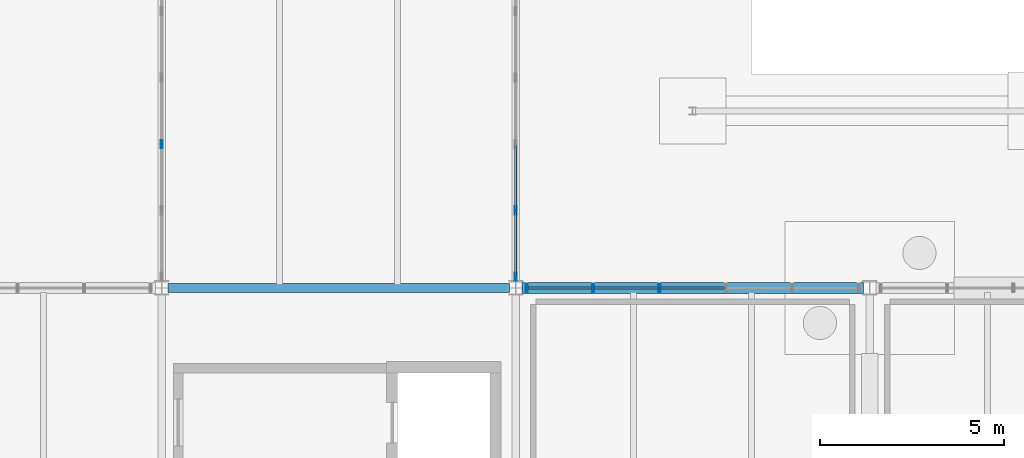
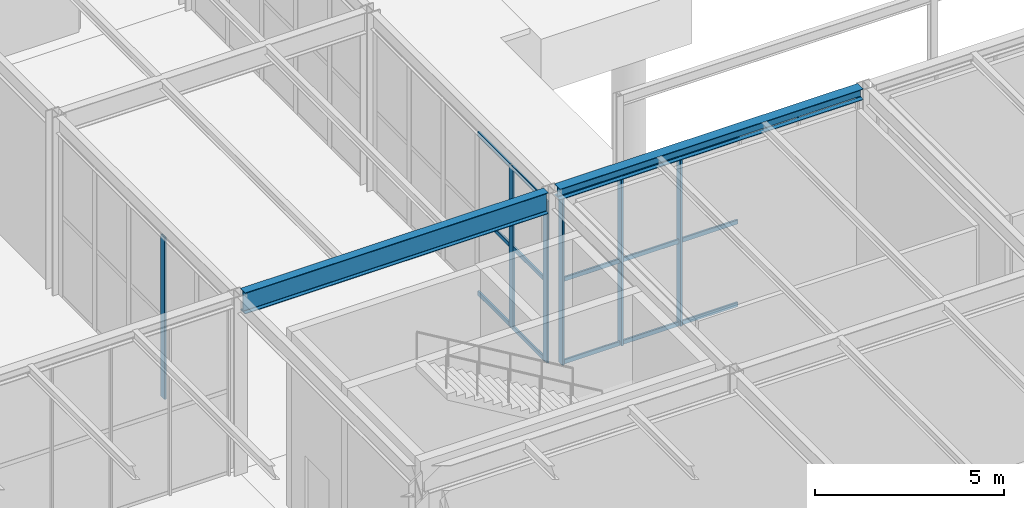
# One storey, part 44 of 142: 21 members, 2 beams, 3 elements without a shape of their own.
"""IFC4 building model written with IfcOpenShell, lengths in metres."""

from ifc_helpers import new_model, si_unit, direction, frame, origin, origin_2d, place, context, subcontext, project, spatial, hollow_rectangle, i_section, extrude, material, material_profile, profile_set, type_object, element, aggregate, save


model = new_model("IFC4")

# Units and contexts
model_context = context("Model", 3, precision=1e-05, world=origin(), true_north=direction((0.0, 1.0)))
body_context = subcontext(model_context, "Body", "Model", "MODEL_VIEW")
ifc_project = project(units=[si_unit("LENGTHUNIT", "METRE"), si_unit("AREAUNIT", "SQUARE_METRE"), si_unit("VOLUMEUNIT", "CUBIC_METRE"), si_unit("PLANEANGLEUNIT", "RADIAN"), si_unit("MASSUNIT", "GRAM", prefix="KILO")], contexts=[model_context])

# Site, building, storey
site_placement = place(None, origin())
site = spatial("IfcSite", under=ifc_project, at=site_placement, CompositionType="ELEMENT")
building_placement = place(site_placement, origin())
building = spatial("IfcBuilding", under=site, at=building_placement, Name="Coralgate Yard Interchange", CompositionType="ELEMENT")
storey_placement = place(building_placement, origin())
storey = spatial("IfcBuildingStorey", under=building, at=storey_placement, Name="L00", CompositionType="ELEMENT", Elevation=0.0)

# Beams
ifc_material_1 = material(Name="Structural steel S355J2", Category="steel")
ifc_material_profile_1 = material_profile(ifc_material_1, i_section(OverallWidth=0.253662109375, OverallDepth=0.68359375, WebThickness=0.012451171875, FlangeThickness=0.01904296875, FilletRadius=0.01513671875, at=origin_2d()), Name="UB 686x254x140")
ifc_profile_set_1 = profile_set([ifc_material_profile_1], Name="Structural steel S355J2")
beam_type_1 = type_object("IfcBeamType", Name="BM-SG-4", PredefinedType="BEAM", material=ifc_profile_set_1)
beam_1_placement = place(storey_placement, frame((48.16943359375, 19.199951171875, 5.408203125), z_axis=(1.0, 0.0, 0.0), x_axis=(0.0, 1.0, 0.0)))
element("IfcBeam", 1, at=beam_1_placement, inside=storey, type_object=beam_type_1, Name="L00 primary grid beam Y2 X5-6", PredefinedType="BEAM", context=body_context, shape_type="SweptSolid", body=[
    extrude(i_section(OverallWidth=0.253662109375, OverallDepth=0.68359375, WebThickness=0.012451171875, FlangeThickness=0.01904296875, FilletRadius=0.01513671875, at=origin_2d()), origin(), (0.0, 0.0, 1.0), 9.260986328125),
])
ifc_material_profile_2 = material_profile(ifc_material_1, i_section(OverallWidth=0.300048828125, OverallDepth=0.35009765625, WebThickness=0.010009765625, FlangeThickness=0.017578125, FilletRadius=0.027099609375, at=origin_2d()), Name="HEA 360")
ifc_profile_set_2 = profile_set([ifc_material_profile_2], Name="Structural steel S355J2")
beam_type_2 = type_object("IfcBeamType", Name="BM-SP-1", PredefinedType="SPANDREL", material=ifc_profile_set_2)
beam_2_placement = place(storey_placement, frame((57.76953125, 19.199951171875, 5.574951171875), z_axis=(1.0, 0.0, 0.0), x_axis=(0.0, 1.0, 0.0)))
element("IfcBeam", 2, at=beam_2_placement, inside=storey, type_object=beam_type_2, Name="L00 primary grid beam Y2 X6-7", PredefinedType="SPANDREL", context=body_context, shape_type="SweptSolid", body=[
    extrude(i_section(OverallWidth=0.300048828125, OverallDepth=0.35009765625, WebThickness=0.010009765625, FlangeThickness=0.017578125, FilletRadius=0.027099609375, at=origin_2d()), origin(), (0.0, 0.0, 1.0), 9.260986328125),
])

# Curtain wall, member
ifc_material_2 = material(Name="Anodised coastal aluminium and solar-control low-E glass", Category="aluminium")
curtain_wall_type_1 = type_object("IfcCurtainWallType", Name="CW-CW-L00-B", PredefinedType="NOTDEFINED", material=ifc_material_2)
curtain_wall_1_placement = place(storey_placement, origin())
curtain_wall_1 = element("IfcCurtainWall", 3, at=curtain_wall_1_placement, inside=storey, type_object=curtain_wall_type_1, Name="L00 unitised curtain wall CW-L00-W-05-02", PredefinedType="NOTDEFINED")
ifc_material_3 = material(Name="Anodised coastal aluminium 6063-T6", Category="aluminium")
ifc_material_profile_3 = material_profile(ifc_material_3, hollow_rectangle(XDim=0.06005859375, YDim=0.219970703125, WallThickness=0.00390625, InnerFilletRadius=0.00390625, OuterFilletRadius=0.008056640625, at=origin_2d()), Name="ALU 60x220x4")
ifc_profile_set_3 = profile_set([ifc_material_profile_3], Name="Anodised coastal aluminium 6063-T6")
member_type_1 = type_object("IfcMemberType", Name="MB-MUL-220", PredefinedType="MULLION", material=ifc_profile_set_3)
member_1_placement = place(storey_placement, frame((48.0, 23.10009765625, 0.0), z_axis=(0.0, 0.0, 1.0), x_axis=(1.0, 0.0, 0.0)))
member_1 = element("IfcMember", 4, at=member_1_placement, type_object=member_type_1, Name="CW-L00-W-05-02 vertical mullion 3", PredefinedType="MULLION", context=body_context, shape_type="SweptSolid", body=[
    extrude(hollow_rectangle(XDim=0.06005859375, YDim=0.219970703125, WallThickness=0.00390625, InnerFilletRadius=0.00390625, OuterFilletRadius=0.008056640625, at=origin_2d()), origin(), (0.0, 0.0, 1.0), 5.216796875),
])
aggregate(curtain_wall_1, [member_1])

# Curtain wall, members
curtain_wall_type_2 = type_object("IfcCurtainWallType", Name="CW-CW-L00-A", PredefinedType="NOTDEFINED", material=ifc_material_2)
curtain_wall_2_placement = place(storey_placement, origin())
curtain_wall_2 = element("IfcCurtainWall", 5, at=curtain_wall_2_placement, inside=storey, type_object=curtain_wall_type_2, Name="L00 unitised curtain wall CW-L00-E-05-02", PredefinedType="NOTDEFINED")
member_2_placement = place(storey_placement, frame((57.60009765625, 21.300048828125, 0.0), z_axis=(0.0, 0.0, 1.0), x_axis=(1.0, 0.0, 0.0)))
member_2 = element("IfcMember", 6, at=member_2_placement, type_object=member_type_1, Name="CW-L00-E-05-02 vertical mullion 5", PredefinedType="MULLION", context=body_context, shape_type="SweptSolid", body=[
    extrude(hollow_rectangle(XDim=0.06005859375, YDim=0.219970703125, WallThickness=0.00390625, InnerFilletRadius=0.00390625, OuterFilletRadius=0.008056640625, at=origin_2d()), origin(), (0.0, 0.0, 1.0), 5.216796875),
])
member_3_placement = place(storey_placement, frame((57.60009765625, 19.5, 0.0), z_axis=(0.0, 0.0, 1.0), x_axis=(1.0, 0.0, 0.0)))
member_3 = element("IfcMember", 7, at=member_3_placement, type_object=member_type_1, Name="CW-L00-E-05-02 vertical mullion 6", PredefinedType="MULLION", context=body_context, shape_type="SweptSolid", body=[
    extrude(hollow_rectangle(XDim=0.06005859375, YDim=0.219970703125, WallThickness=0.00390625, InnerFilletRadius=0.00390625, OuterFilletRadius=0.008056640625, at=origin_2d()), origin(), (0.0, 0.0, 1.0), 5.216796875),
])

curtain_wall_3_placement = place(storey_placement, origin())
curtain_wall_3 = element("IfcCurtainWall", 8, at=curtain_wall_3_placement, inside=storey, type_object=curtain_wall_type_1, Name="L00 unitised curtain wall CW-L00-N-06-01", PredefinedType="NOTDEFINED")
member_4_placement = place(storey_placement, frame((57.89990234375, 19.199951171875, 0.0), z_axis=(0.0, 0.0, 1.0), x_axis=(1.0, 0.0, 0.0)))
member_4 = element("IfcMember", 9, at=member_4_placement, type_object=member_type_1, Name="CW-L00-N-06-01 vertical mullion 1", PredefinedType="MULLION", context=body_context, shape_type="SweptSolid", body=[
    extrude(hollow_rectangle(XDim=0.06005859375, YDim=0.219970703125, WallThickness=0.00390625, InnerFilletRadius=0.00390625, OuterFilletRadius=0.008056640625, at=origin_2d()), origin(), (0.0, 0.0, 1.0), 5.39990234375),
])
member_5_placement = place(storey_placement, frame((59.699951171875, 19.199951171875, 0.0), z_axis=(0.0, 0.0, 1.0), x_axis=(1.0, 0.0, 0.0)))
member_5 = element("IfcMember", 10, at=member_5_placement, type_object=member_type_1, Name="CW-L00-N-06-01 vertical mullion 2", PredefinedType="MULLION", context=body_context, shape_type="SweptSolid", body=[
    extrude(hollow_rectangle(XDim=0.06005859375, YDim=0.219970703125, WallThickness=0.00390625, InnerFilletRadius=0.00390625, OuterFilletRadius=0.008056640625, at=origin_2d()), origin(), (0.0, 0.0, 1.0), 5.39990234375),
])
member_6_placement = place(storey_placement, frame((61.5, 19.199951171875, 0.0), z_axis=(0.0, 0.0, 1.0), x_axis=(1.0, 0.0, 0.0)))
member_6 = element("IfcMember", 11, at=member_6_placement, type_object=member_type_1, Name="CW-L00-N-06-01 vertical mullion 3", PredefinedType="MULLION", context=body_context, shape_type="SweptSolid", body=[
    extrude(hollow_rectangle(XDim=0.06005859375, YDim=0.219970703125, WallThickness=0.00390625, InnerFilletRadius=0.00390625, OuterFilletRadius=0.008056640625, at=origin_2d()), origin(), (0.0, 0.0, 1.0), 5.39990234375),
])

# Member
ifc_material_profile_4 = material_profile(ifc_material_3, hollow_rectangle(XDim=0.06005859375, YDim=0.139892578125, WallThickness=0.00341796875, InnerFilletRadius=0.00341796875, OuterFilletRadius=0.007080078125, at=origin_2d()), Name="ALU 60x140x3.5")
ifc_profile_set_4 = profile_set([ifc_material_profile_4], Name="Anodised coastal aluminium 6063-T6")
member_type_2 = type_object("IfcMemberType", Name="MB-TRN-140", PredefinedType="USERDEFINED", material=ifc_profile_set_4)
member_7_placement = place(storey_placement, frame((57.60009765625, 23.070068359375, 0.034912109375), z_axis=(0.0, -1.0, 0.0), x_axis=(1.0, 0.0, 0.0)))
member_7 = element("IfcMember", 12, at=member_7_placement, type_object=member_type_2, Name="CW-L00-E-05-02 horizontal transom 4-1", ObjectType="TRANSOM", PredefinedType="USERDEFINED", context=body_context, shape_type="SweptSolid", body=[
    extrude(hollow_rectangle(XDim=0.06005859375, YDim=0.139892578125, WallThickness=0.00341796875, InnerFilletRadius=0.00341796875, OuterFilletRadius=0.007080078125, at=origin_2d()), origin(), (0.0, 0.0, 1.0), 1.739990234375),
])

member_8_placement = place(storey_placement, frame((57.60009765625, 23.070068359375, 2.6083984375), z_axis=(0.0, -1.0, 0.0), x_axis=(1.0, 0.0, 0.0)))
member_8 = element("IfcMember", 13, at=member_8_placement, type_object=member_type_2, Name="CW-L00-E-05-02 horizontal transom 4-2", ObjectType="TRANSOM", PredefinedType="USERDEFINED", context=body_context, shape_type="SweptSolid", body=[
    extrude(hollow_rectangle(XDim=0.06005859375, YDim=0.139892578125, WallThickness=0.00341796875, InnerFilletRadius=0.00341796875, OuterFilletRadius=0.007080078125, at=origin_2d()), origin(), (0.0, 0.0, 1.0), 1.739990234375),
])

member_9_placement = place(storey_placement, frame((57.60009765625, 23.070068359375, 5.181884765625), z_axis=(0.0, -1.0, 0.0), x_axis=(1.0, 0.0, 0.0)))
member_9 = element("IfcMember", 14, at=member_9_placement, type_object=member_type_2, Name="CW-L00-E-05-02 horizontal transom 4-3", ObjectType="TRANSOM", PredefinedType="USERDEFINED", context=body_context, shape_type="SweptSolid", body=[
    extrude(hollow_rectangle(XDim=0.06005859375, YDim=0.139892578125, WallThickness=0.00341796875, InnerFilletRadius=0.00341796875, OuterFilletRadius=0.007080078125, at=origin_2d()), origin(), (0.0, 0.0, 1.0), 1.739990234375),
])

member_10_placement = place(storey_placement, frame((57.60009765625, 21.27001953125, 0.034912109375), z_axis=(0.0, -1.0, 0.0), x_axis=(1.0, 0.0, 0.0)))
member_10 = element("IfcMember", 15, at=member_10_placement, type_object=member_type_2, Name="CW-L00-E-05-02 horizontal transom 5-1", ObjectType="TRANSOM", PredefinedType="USERDEFINED", context=body_context, shape_type="SweptSolid", body=[
    extrude(hollow_rectangle(XDim=0.06005859375, YDim=0.139892578125, WallThickness=0.00341796875, InnerFilletRadius=0.00341796875, OuterFilletRadius=0.007080078125, at=origin_2d()), origin(), (0.0, 0.0, 1.0), 1.739990234375),
])

member_11_placement = place(storey_placement, frame((57.60009765625, 21.27001953125, 2.6083984375), z_axis=(0.0, -1.0, 0.0), x_axis=(1.0, 0.0, 0.0)))
member_11 = element("IfcMember", 16, at=member_11_placement, type_object=member_type_2, Name="CW-L00-E-05-02 horizontal transom 5-2", ObjectType="TRANSOM", PredefinedType="USERDEFINED", context=body_context, shape_type="SweptSolid", body=[
    extrude(hollow_rectangle(XDim=0.06005859375, YDim=0.139892578125, WallThickness=0.00341796875, InnerFilletRadius=0.00341796875, OuterFilletRadius=0.007080078125, at=origin_2d()), origin(), (0.0, 0.0, 1.0), 1.739990234375),
])

member_12_placement = place(storey_placement, frame((57.60009765625, 21.27001953125, 5.181884765625), z_axis=(0.0, -1.0, 0.0), x_axis=(1.0, 0.0, 0.0)))
member_12 = element("IfcMember", 17, at=member_12_placement, type_object=member_type_2, Name="CW-L00-E-05-02 horizontal transom 5-3", ObjectType="TRANSOM", PredefinedType="USERDEFINED", context=body_context, shape_type="SweptSolid", body=[
    extrude(hollow_rectangle(XDim=0.06005859375, YDim=0.139892578125, WallThickness=0.00341796875, InnerFilletRadius=0.00341796875, OuterFilletRadius=0.007080078125, at=origin_2d()), origin(), (0.0, 0.0, 1.0), 1.739990234375),
])

aggregate(curtain_wall_2, [member_2, member_3, member_7, member_8, member_9, member_10, member_11, member_12])

member_13_placement = place(storey_placement, frame((57.929931640625, 19.199951171875, 0.034912109375), z_axis=(1.0, 0.0, 0.0), x_axis=(0.0, 1.0, 0.0)))
member_13 = element("IfcMember", 18, at=member_13_placement, type_object=member_type_2, Name="CW-L00-N-06-01 horizontal transom 1-1", ObjectType="TRANSOM", PredefinedType="USERDEFINED", context=body_context, shape_type="SweptSolid", body=[
    extrude(hollow_rectangle(XDim=0.06005859375, YDim=0.139892578125, WallThickness=0.00341796875, InnerFilletRadius=0.00341796875, OuterFilletRadius=0.007080078125, at=origin_2d()), origin(), (0.0, 0.0, 1.0), 1.739990234375),
])

member_14_placement = place(storey_placement, frame((57.929931640625, 19.199951171875, 2.699951171875), z_axis=(1.0, 0.0, 0.0), x_axis=(0.0, 1.0, 0.0)))
member_14 = element("IfcMember", 19, at=member_14_placement, type_object=member_type_2, Name="CW-L00-N-06-01 horizontal transom 1-2", ObjectType="TRANSOM", PredefinedType="USERDEFINED", context=body_context, shape_type="SweptSolid", body=[
    extrude(hollow_rectangle(XDim=0.06005859375, YDim=0.139892578125, WallThickness=0.00341796875, InnerFilletRadius=0.00341796875, OuterFilletRadius=0.007080078125, at=origin_2d()), origin(), (0.0, 0.0, 1.0), 1.739990234375),
])

member_15_placement = place(storey_placement, frame((57.929931640625, 19.199951171875, 5.364990234375), z_axis=(1.0, 0.0, 0.0), x_axis=(0.0, 1.0, 0.0)))
member_15 = element("IfcMember", 20, at=member_15_placement, type_object=member_type_2, Name="CW-L00-N-06-01 horizontal transom 1-3", ObjectType="TRANSOM", PredefinedType="USERDEFINED", context=body_context, shape_type="SweptSolid", body=[
    extrude(hollow_rectangle(XDim=0.06005859375, YDim=0.139892578125, WallThickness=0.00341796875, InnerFilletRadius=0.00341796875, OuterFilletRadius=0.007080078125, at=origin_2d()), origin(), (0.0, 0.0, 1.0), 1.739990234375),
])

member_16_placement = place(storey_placement, frame((59.72998046875, 19.199951171875, 0.034912109375), z_axis=(1.0, 0.0, 0.0), x_axis=(0.0, 1.0, 0.0)))
member_16 = element("IfcMember", 21, at=member_16_placement, type_object=member_type_2, Name="CW-L00-N-06-01 horizontal transom 2-1", ObjectType="TRANSOM", PredefinedType="USERDEFINED", context=body_context, shape_type="SweptSolid", body=[
    extrude(hollow_rectangle(XDim=0.06005859375, YDim=0.139892578125, WallThickness=0.00341796875, InnerFilletRadius=0.00341796875, OuterFilletRadius=0.007080078125, at=origin_2d()), origin(), (0.0, 0.0, 1.0), 1.739990234375),
])

member_17_placement = place(storey_placement, frame((59.72998046875, 19.199951171875, 2.699951171875), z_axis=(1.0, 0.0, 0.0), x_axis=(0.0, 1.0, 0.0)))
member_17 = element("IfcMember", 22, at=member_17_placement, type_object=member_type_2, Name="CW-L00-N-06-01 horizontal transom 2-2", ObjectType="TRANSOM", PredefinedType="USERDEFINED", context=body_context, shape_type="SweptSolid", body=[
    extrude(hollow_rectangle(XDim=0.06005859375, YDim=0.139892578125, WallThickness=0.00341796875, InnerFilletRadius=0.00341796875, OuterFilletRadius=0.007080078125, at=origin_2d()), origin(), (0.0, 0.0, 1.0), 1.739990234375),
])

member_18_placement = place(storey_placement, frame((59.72998046875, 19.199951171875, 5.364990234375), z_axis=(1.0, 0.0, 0.0), x_axis=(0.0, 1.0, 0.0)))
member_18 = element("IfcMember", 23, at=member_18_placement, type_object=member_type_2, Name="CW-L00-N-06-01 horizontal transom 2-3", ObjectType="TRANSOM", PredefinedType="USERDEFINED", context=body_context, shape_type="SweptSolid", body=[
    extrude(hollow_rectangle(XDim=0.06005859375, YDim=0.139892578125, WallThickness=0.00341796875, InnerFilletRadius=0.00341796875, OuterFilletRadius=0.007080078125, at=origin_2d()), origin(), (0.0, 0.0, 1.0), 1.739990234375),
])

member_19_placement = place(storey_placement, frame((61.530029296875, 19.199951171875, 0.034912109375), z_axis=(1.0, 0.0, 0.0), x_axis=(0.0, 1.0, 0.0)))
member_19 = element("IfcMember", 24, at=member_19_placement, type_object=member_type_2, Name="CW-L00-N-06-01 horizontal transom 3-1", ObjectType="TRANSOM", PredefinedType="USERDEFINED", context=body_context, shape_type="SweptSolid", body=[
    extrude(hollow_rectangle(XDim=0.06005859375, YDim=0.139892578125, WallThickness=0.00341796875, InnerFilletRadius=0.00341796875, OuterFilletRadius=0.007080078125, at=origin_2d()), origin(), (0.0, 0.0, 1.0), 1.739990234375),
])

member_20_placement = place(storey_placement, frame((61.530029296875, 19.199951171875, 2.699951171875), z_axis=(1.0, 0.0, 0.0), x_axis=(0.0, 1.0, 0.0)))
member_20 = element("IfcMember", 25, at=member_20_placement, type_object=member_type_2, Name="CW-L00-N-06-01 horizontal transom 3-2", ObjectType="TRANSOM", PredefinedType="USERDEFINED", context=body_context, shape_type="SweptSolid", body=[
    extrude(hollow_rectangle(XDim=0.06005859375, YDim=0.139892578125, WallThickness=0.00341796875, InnerFilletRadius=0.00341796875, OuterFilletRadius=0.007080078125, at=origin_2d()), origin(), (0.0, 0.0, 1.0), 1.739990234375),
])

member_21_placement = place(storey_placement, frame((61.530029296875, 19.199951171875, 5.364990234375), z_axis=(1.0, 0.0, 0.0), x_axis=(0.0, 1.0, 0.0)))
member_21 = element("IfcMember", 26, at=member_21_placement, type_object=member_type_2, Name="CW-L00-N-06-01 horizontal transom 3-3", ObjectType="TRANSOM", PredefinedType="USERDEFINED", context=body_context, shape_type="SweptSolid", body=[
    extrude(hollow_rectangle(XDim=0.06005859375, YDim=0.139892578125, WallThickness=0.00341796875, InnerFilletRadius=0.00341796875, OuterFilletRadius=0.007080078125, at=origin_2d()), origin(), (0.0, 0.0, 1.0), 1.739990234375),
])

aggregate(curtain_wall_3, [member_4, member_5, member_6, member_13, member_14, member_15, member_16, member_17, member_18, member_19, member_20, member_21])

save(model, "model.ifc")
